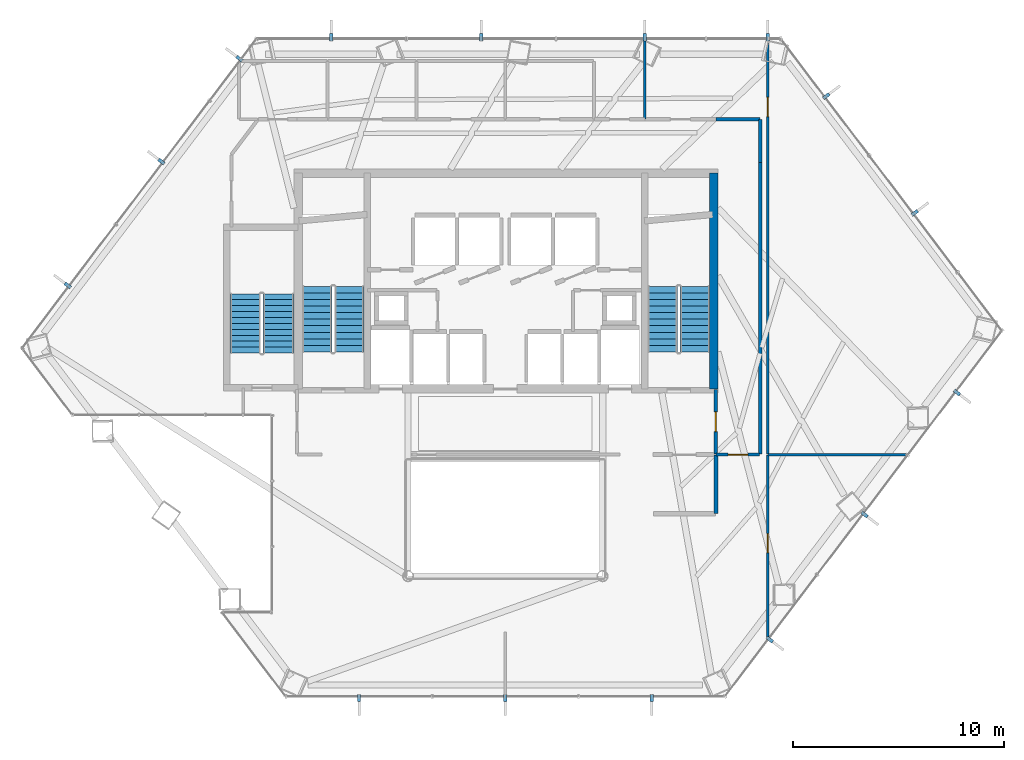
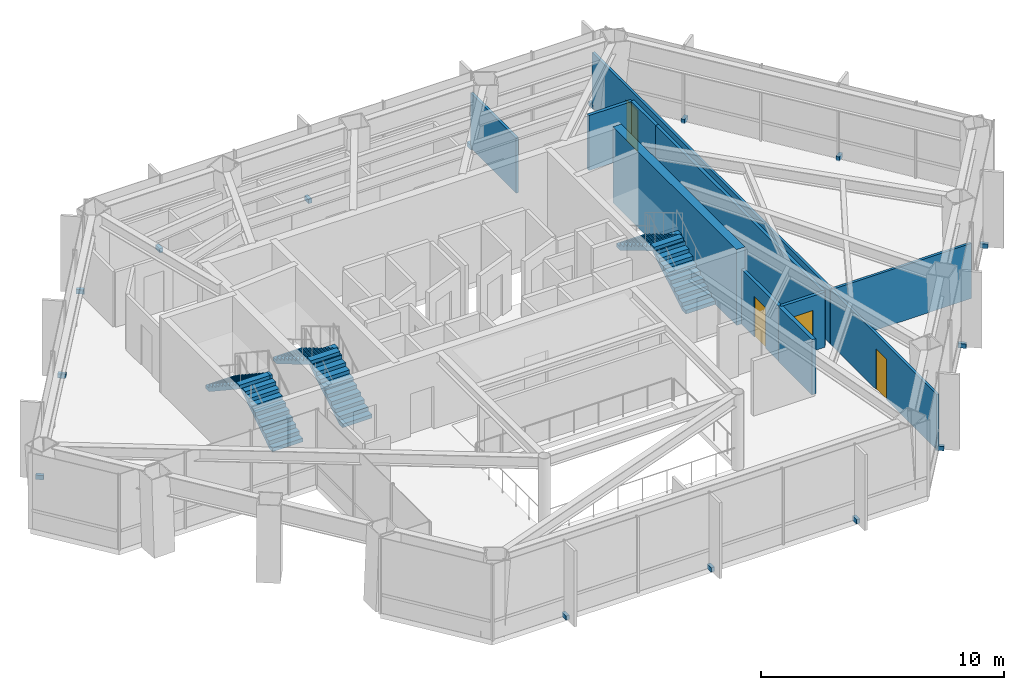
# One storey, part 23 of 24: 15 discrete accessories, 11 walls, 6 stair flights, 4 doors, 4 openings, 3 elements without a shape of their own.
"""IFC4 building model written with IfcOpenShell, lengths in metres."""

from ifc_helpers import new_model, si_unit, direction, frame, frame_2d, origin, origin_2d, place, context, subcontext, project, spatial, polyline, rectangle, outline, extrude, material, layer, layer_set, type_object, element, fill, aggregate, save


model = new_model("IFC4")

# Units and contexts
model_context = context("Model", 3, precision=1e-05, world=origin(), true_north=direction((0.0, 1.0)))
body_context = subcontext(model_context, "Body", "Model", "MODEL_VIEW")
ifc_project = project(units=[si_unit("LENGTHUNIT", "METRE"), si_unit("AREAUNIT", "SQUARE_METRE"), si_unit("VOLUMEUNIT", "CUBIC_METRE"), si_unit("PLANEANGLEUNIT", "RADIAN"), si_unit("MASSUNIT", "GRAM", prefix="KILO")], contexts=[model_context])

# Site, building, storey
site_placement = place(None, origin())
site = spatial("IfcSite", under=ifc_project, at=site_placement, CompositionType="ELEMENT")
building_placement = place(site_placement, origin())
building = spatial("IfcBuilding", under=site, at=building_placement, Name="Zarrinselat Tower", CompositionType="ELEMENT")
storey_placement = place(building_placement, frame((0.0, 0.0, 68.340087890625)))
storey = spatial("IfcBuildingStorey", under=building, at=storey_placement, Name="L16", CompositionType="ELEMENT", Elevation=68.340087890625)

# Wall
ifc_material_1 = material(Name="Concrete C40/50", Category="concrete")
ifc_layer_1 = layer(ifc_material_1, 0.18994140625)
ifc_layer_set_1 = layer_set([ifc_layer_1], Name="Concrete C40/50")
wall_type_1 = type_object("IfcWallType", Name="WAL-PART-EI120", PredefinedType="PARTITIONING", material=ifc_layer_set_1)
wall_1_placement = place(storey_placement, frame((48.35009765625, 27.3701171875, 0.0), z_axis=(0.0, 0.0, 1.0), x_axis=(0.0, 1.0, 0.0)))
element("IfcWall", 1, at=wall_1_placement, inside=storey, type_object=wall_type_1, Name="L16 Partition Wall 13", PredefinedType="PARTITIONING", context=body_context, shape_type="SweptSolid", body=[
    extrude(rectangle(XDim=2.759765625, YDim=0.18994140625, at=frame_2d((1.3798828125, 0.0))), origin(), (0.0, 0.0, 1.0), 2.77685546875),
])

# Wall, opening, door
ifc_material_2 = material(Name="Fire-Rated Gypsum Board Partition", Category="gypsum")
ifc_layer_2 = layer(ifc_material_2, 0.14990234375)
ifc_layer_set_2 = layer_set([ifc_layer_2], Name="Fire-Rated Gypsum Board Partition")
wall_type_2 = type_object("IfcWallType", Name="WAL-PART-EI60", PredefinedType="PARTITIONING", material=ifc_layer_set_2)
wall_2_placement = place(storey_placement, frame((48.35009765625, 30.169921875, 0.0), z_axis=(0.0, 0.0, 1.0), x_axis=(0.0, 1.0, 0.0)))
wall_2 = element("IfcWall", 2, at=wall_2_placement, inside=storey, type_object=wall_type_2, Name="L16 Partition Wall 8", PredefinedType="PARTITIONING", context=body_context, shape_type="SweptSolid", body=[
    extrude(rectangle(XDim=3.06005859375, YDim=0.14990234375, at=frame_2d((1.530029296875, 0.0))), origin(), (0.0, 0.0, 1.0), 2.77685546875),
])
opening_1_placement = place(wall_2_placement, frame((1.06005859375, 0.0, 0.0)))
opening_1 = element("IfcOpeningElement", 3, at=opening_1_placement, cuts=wall_2, Name="Opening ID-04", PredefinedType="OPENING", context=body_context, shape_type="SweptSolid", body=[
    extrude(rectangle(XDim=0.93994140625, YDim=2.050048828125, at=frame_2d((0.469970703125, 1.02490234375))), frame((0.0, 0.0849609375, 0.0), z_axis=(0.0, -1.0, 0.0), x_axis=(1.0, 0.0, 0.0)), (0.0, 0.0, 1.0), 0.169921875),
])
ifc_material_3 = material(Name="Fire-Rated Gypsum Board Partition")
door_type_1 = type_object("IfcDoorType", Name="DR-INT-FD30-ENT", OperationType="NOTDEFINED", PredefinedType="DOOR", material=ifc_material_3)
door_1_placement = place(opening_1_placement, origin())
door_1 = element("IfcDoor", 4, at=door_1_placement, inside=storey, type_object=door_type_1, Name="L16 Interior Door P8", OperationType="SINGLE_SWING_RIGHT", OverallHeight=2.050048828125, OverallWidth=0.93994140625, PredefinedType="DOOR", context=body_context, shape_type="SweptSolid", body=[
    extrude(rectangle(XDim=0.93994140625, YDim=2.050048828125, at=frame_2d((0.469970703125, 1.02490234375))), frame((0.0, 0.02490234375, 0.0), z_axis=(0.0, -1.0, 0.0), x_axis=(1.0, 0.0, 0.0)), (0.0, 0.0, 1.0), 0.050048828125),
])
fill(opening_1, door_1)

wall_3_placement = place(storey_placement, frame((48.3701171875, 30.14990234375, 0.0), z_axis=(0.0, 0.0, 1.0), x_axis=(1.0, 0.0, 0.0)))
wall_3 = element("IfcWall", 5, at=wall_3_placement, inside=storey, type_object=wall_type_2, Name="L16 Partition Wall 19", PredefinedType="PARTITIONING", context=body_context, shape_type="SweptSolid", body=[
    extrude(rectangle(XDim=2.059814453125, YDim=0.14990234375, at=frame_2d((1.02978515625, 0.0))), origin(), (0.0, 0.0, 1.0), 2.77685546875),
])
opening_2_placement = place(wall_3_placement, frame((0.56005859375, 0.0, 0.0)))
opening_2 = element("IfcOpeningElement", 6, at=opening_2_placement, cuts=wall_3, Name="Opening ID-04", PredefinedType="OPENING", context=body_context, shape_type="SweptSolid", body=[
    extrude(rectangle(XDim=0.93994140625, YDim=2.050048828125, at=frame_2d((0.469970703125, 1.02490234375))), frame((0.0, 0.0849609375, 0.0), z_axis=(0.0, -1.0, 0.0), x_axis=(1.0, 0.0, 0.0)), (0.0, 0.0, 1.0), 0.169921875),
])
door_2_placement = place(opening_2_placement, origin())
door_2 = element("IfcDoor", 7, at=door_2_placement, inside=storey, type_object=door_type_1, Name="L16 Interior Door P19", OperationType="SINGLE_SWING_LEFT", OverallHeight=2.050048828125, OverallWidth=0.93994140625, PredefinedType="DOOR", context=body_context, shape_type="SweptSolid", body=[
    extrude(rectangle(XDim=0.93994140625, YDim=2.050048828125, at=frame_2d((0.469970703125, 1.02490234375))), frame((0.0, 0.02490234375, 0.0), z_axis=(0.0, -1.0, 0.0), x_axis=(1.0, 0.0, 0.0)), (0.0, 0.0, 1.0), 0.050048828125),
])
fill(opening_2, door_2)

# Walls
wall_4_placement = place(storey_placement, frame((48.35009765625, 46.0, 0.0), z_axis=(0.0, 0.0, 1.0), x_axis=(1.0, 0.0, 0.0)))
element("IfcWall", 8, at=wall_4_placement, inside=storey, type_object=wall_type_2, Name="L16 Partition Wall 23", PredefinedType="PARTITIONING", context=body_context, shape_type="SweptSolid", body=[
    extrude(rectangle(XDim=2.079833984375, YDim=0.14990234375, at=frame_2d((1.0400390625, 0.0))), origin(), (0.0, 0.0, 1.0), 2.77685546875),
])
wall_5_placement = place(storey_placement, frame((50.449951171875, 43.949951171875, 0.0), z_axis=(0.0, 0.0, 1.0), x_axis=(0.0, 1.0, 0.0)))
element("IfcWall", 9, at=wall_5_placement, inside=storey, type_object=wall_type_2, Name="L16 Partition Wall 24", PredefinedType="PARTITIONING", context=body_context, shape_type="SweptSolid", body=[
    extrude(rectangle(XDim=2.030029296875, YDim=0.14990234375, at=frame_2d((1.01513671875, 0.0))), origin(), (0.0, 0.0, 1.0), 2.77685546875),
])
wall_6_placement = place(storey_placement, frame((50.449951171875, 30.169921875, 0.0), z_axis=(0.0, 0.0, 1.0), x_axis=(0.0, 1.0, 0.0)))
element("IfcWall", 10, at=wall_6_placement, inside=storey, type_object=wall_type_2, Name="L16 Partition Wall 25", PredefinedType="PARTITIONING", context=body_context, shape_type="SweptSolid", body=[
    extrude(rectangle(XDim=13.780029296875, YDim=0.14990234375, at=frame_2d((6.89013671875, 0.0))), origin(), (0.0, 0.0, 1.0), 2.77685546875),
])

# Wall, opening, door
ifc_material_4 = material(Name="Fire-Rated Gypsum Board Partition", Category="gypsum")
ifc_layer_3 = layer(ifc_material_4, 0.1201171875)
ifc_layer_set_3 = layer_set([ifc_layer_3], Name="Fire-Rated Gypsum Board Partition")
wall_type_3 = type_object("IfcWallType", Name="WAL-PART-STD", PredefinedType="PARTITIONING", material=ifc_layer_set_3)
wall_7_placement = place(storey_placement, frame((50.800048828125, 21.39404296875, 0.0), z_axis=(0.0, 0.0, 1.0), x_axis=(0.0, 1.0, 0.0)))
wall_7 = element("IfcWall", 11, at=wall_7_placement, inside=storey, type_object=wall_type_3, Name="L16 Partition Wall 38", PredefinedType="PARTITIONING", context=body_context, shape_type="SweptSolid", body=[
    extrude(rectangle(XDim=8.73583984375, YDim=0.1201171875, at=frame_2d((4.367919921875, 0.0))), origin(), (0.0, 0.0, 1.0), 2.77685546875),
])
opening_3_placement = place(wall_7_placement, frame((4.117919921875, 0.0, 0.0)))
opening_3 = element("IfcOpeningElement", 12, at=opening_3_placement, cuts=wall_7, Name="Opening ID-05", PredefinedType="OPENING", context=body_context, shape_type="SweptSolid", body=[
    extrude(rectangle(XDim=0.89990234375, YDim=2.050048828125, at=frame_2d((0.449951171875, 1.02490234375))), frame((0.0, 0.070068359375, 0.0), z_axis=(0.0, -1.0, 0.0), x_axis=(1.0, 0.0, 0.0)), (0.0, 0.0, 1.0), 0.14013671875),
])
ifc_material_5 = material(Name="Extruded Aluminium Alloy EN AW-6063 T6", Category="aluminium")
door_type_2 = type_object("IfcDoorType", Name="DR-INT-STD-920", OperationType="NOTDEFINED", PredefinedType="DOOR", material=ifc_material_5)
door_3_placement = place(opening_3_placement, origin())
door_3 = element("IfcDoor", 13, at=door_3_placement, inside=storey, type_object=door_type_2, Name="L16 Interior Door P38", OperationType="SINGLE_SWING_LEFT", OverallHeight=2.050048828125, OverallWidth=0.89990234375, PredefinedType="DOOR", context=body_context, shape_type="SweptSolid", body=[
    extrude(rectangle(XDim=0.89990234375, YDim=2.050048828125, at=frame_2d((0.449951171875, 1.02490234375))), frame((0.0, 0.02490234375, 0.0), z_axis=(0.0, -1.0, 0.0), x_axis=(1.0, 0.0, 0.0)), (0.0, 0.0, 1.0), 0.050048828125),
])
fill(opening_3, door_3)

# Wall
wall_8_placement = place(storey_placement, frame((50.820068359375, 30.14990234375, 0.0), z_axis=(0.0, 0.0, 1.0), x_axis=(1.0, 0.0, 0.0)))
element("IfcWall", 14, at=wall_8_placement, inside=storey, type_object=wall_type_3, Name="L16 Partition Wall 40", PredefinedType="PARTITIONING", context=body_context, shape_type="SweptSolid", body=[
    extrude(rectangle(XDim=6.609619140625, YDim=0.1201171875, at=frame_2d((3.3046875, 0.0))), origin(), (0.0, 0.0, 1.0), 2.77685546875),
])

# Wall, opening, door
wall_9_placement = place(storey_placement, frame((50.800048828125, 30.169921875, 0.0), z_axis=(0.0, 0.0, 1.0), x_axis=(0.0, 1.0, 0.0)))
wall_9 = element("IfcWall", 15, at=wall_9_placement, inside=storey, type_object=wall_type_3, Name="L16 Partition Wall 41", PredefinedType="PARTITIONING", context=body_context, shape_type="SweptSolid", body=[
    extrude(rectangle(XDim=19.626220703125, YDim=0.1201171875, at=frame_2d((9.81298828125, 0.0))), origin(), (0.0, 0.0, 1.0), 2.77685546875),
])
opening_4_placement = place(wall_9_placement, frame((15.963134765625, 0.0, 0.0)))
opening_4 = element("IfcOpeningElement", 16, at=opening_4_placement, cuts=wall_9, Name="Opening ID-05", PredefinedType="OPENING", context=body_context, shape_type="SweptSolid", body=[
    extrude(rectangle(XDim=0.89990234375, YDim=2.050048828125, at=frame_2d((0.449951171875, 1.02490234375))), frame((0.0, 0.070068359375, 0.0), z_axis=(0.0, -1.0, 0.0), x_axis=(1.0, 0.0, 0.0)), (0.0, 0.0, 1.0), 0.14013671875),
])
door_4_placement = place(opening_4_placement, origin())
door_4 = element("IfcDoor", 17, at=door_4_placement, inside=storey, type_object=door_type_2, Name="L16 Interior Door P41", OperationType="SINGLE_SWING_RIGHT", OverallHeight=2.050048828125, OverallWidth=0.89990234375, PredefinedType="DOOR", context=body_context, shape_type="SweptSolid", body=[
    extrude(rectangle(XDim=0.89990234375, YDim=2.050048828125, at=frame_2d((0.449951171875, 1.02490234375))), frame((0.0, 0.02490234375, 0.0), z_axis=(0.0, -1.0, 0.0), x_axis=(1.0, 0.0, 0.0)), (0.0, 0.0, 1.0), 0.050048828125),
])
fill(opening_4, door_4)

# Walls
wall_10_placement = place(storey_placement, frame((45.0, 46.02001953125, 0.0), z_axis=(0.0, 0.0, 1.0), x_axis=(0.0, 1.0, 0.0)))
element("IfcWall", 18, at=wall_10_placement, inside=storey, type_object=wall_type_3, Name="L16 Partition Wall 42", PredefinedType="PARTITIONING", context=body_context, shape_type="SweptSolid", body=[
    extrude(rectangle(XDim=3.776123046875, YDim=0.1201171875, at=frame_2d((1.88818359375, 0.0))), origin(), (0.0, 0.0, 1.0), 2.77685546875),
])
ifc_material_6 = material(Name="Concrete C60/75", Category="concrete")
ifc_layer_4 = layer(ifc_material_6, 0.39990234375)
ifc_layer_set_4 = layer_set([ifc_layer_4], Name="Concrete C60/75")
wall_type_4 = type_object("IfcWallType", Name="WAL-SHEAR-400", PredefinedType="SHEAR", material=ifc_layer_set_4)
wall_11_placement = place(storey_placement, frame((48.260009765625, 33.25, 0.0), z_axis=(0.0, 0.0, 1.0), x_axis=(0.0, 1.0, 0.0)))
element("IfcWall", 19, at=wall_11_placement, inside=storey, type_object=wall_type_4, Name="L16 Core Shear Wall E", PredefinedType="SHEAR", context=body_context, shape_type="SweptSolid", body=[
    extrude(rectangle(XDim=10.199951171875, YDim=0.39990234375, at=frame_2d((5.10009765625, 0.0))), origin(), (0.0, 0.0, 1.0), 3.81982421875),
])

# Stair, stair flights
ifc_material_7 = material(Name="Concrete C40/50", Category="concrete")
stair_type_1 = type_object("IfcStairType", Name="STR-CORE-145", PredefinedType="HALF_TURN_STAIR", material=ifc_material_7)
stair_1_placement = place(storey_placement, origin())
stair_1 = element("IfcStair", 20, at=stair_1_placement, inside=storey, type_object=stair_type_1, Name="L16 Podium & Mid-Tower Exit Stair 3", PredefinedType="HALF_TURN_STAIR")
ifc_material_8 = material(Name="Concrete C40/50", Category="concrete")
stair_flight_type_1 = type_object("IfcStairFlightType", Name="STR-FLT-145", PredefinedType="STRAIGHT", material=ifc_material_8)
stair_flight_1_placement = place(storey_placement, frame((27.675048828125, 34.949951171875, 0.0), z_axis=(0.0, 0.0, 1.0), x_axis=(0.0, 1.0, 0.0)))
stair_flight_1 = element("IfcStairFlight", 21, at=stair_flight_1_placement, type_object=stair_flight_type_1, Name="ST-3 flight 1", NumberOfRisers=11, NumberOfTreads=10, PredefinedType="STRAIGHT", RiserHeight=0.185454545, TreadLength=0.28, context=body_context, shape_type="SweptSolid", body=[
    extrude(outline(polyline([(0.0, 0.0), (0.0, 0.185546875), (0.280029296875, 0.185546875), (0.280029296875, 0.370849609375), (0.56005859375, 0.370849609375), (0.56005859375, 0.556396484375), (0.840087890625, 0.556396484375), (0.840087890625, 0.74169921875), (1.1201171875, 0.74169921875), (1.1201171875, 0.92724609375), (1.39990234375, 0.92724609375), (1.39990234375, 1.11279296875), (1.679931640625, 1.11279296875), (1.679931640625, 1.298095703125), (1.9599609375, 1.298095703125), (1.9599609375, 1.483642578125), (2.239990234375, 1.483642578125), (2.239990234375, 1.669189453125), (2.52001953125, 1.669189453125), (2.52001953125, 1.8544921875), (2.800048828125, 1.8544921875), (2.800048828125, 2.0400390625), (2.800048828125, 1.6748046875), (0.271484375, 0.0), (0.0, 0.0)])), frame((0.0, 0.72509765625, 0.0), z_axis=(0.0, -1.0, 0.0), x_axis=(1.0, 0.0, 0.0)), (0.0, 0.0, 1.0), 1.449951171875),
])
stair_flight_2_placement = place(storey_placement, frame((26.10498046875, 37.75, 2.039794921875), z_axis=(0.0, 0.0, 1.0), x_axis=(0.0, -1.0, 0.0)))
stair_flight_2 = element("IfcStairFlight", 22, at=stair_flight_2_placement, type_object=stair_flight_type_1, Name="ST-3 flight 2", NumberOfRisers=11, NumberOfTreads=10, PredefinedType="STRAIGHT", RiserHeight=0.185454545, TreadLength=0.28, context=body_context, shape_type="SweptSolid", body=[
    extrude(outline(polyline([(0.0, 0.0), (0.0, 0.185546875), (0.280029296875, 0.185546875), (0.280029296875, 0.370849609375), (0.56005859375, 0.370849609375), (0.56005859375, 0.556396484375), (0.840087890625, 0.556396484375), (0.840087890625, 0.74169921875), (1.1201171875, 0.74169921875), (1.1201171875, 0.92724609375), (1.39990234375, 0.92724609375), (1.39990234375, 1.11279296875), (1.679931640625, 1.11279296875), (1.679931640625, 1.298095703125), (1.9599609375, 1.298095703125), (1.9599609375, 1.483642578125), (2.239990234375, 1.483642578125), (2.239990234375, 1.669189453125), (2.52001953125, 1.669189453125), (2.52001953125, 1.8544921875), (2.800048828125, 1.8544921875), (2.800048828125, 2.0400390625), (2.800048828125, 1.6748046875), (0.271484375, 0.0), (0.0, 0.0)])), frame((0.0, 0.72509765625, 0.0), z_axis=(0.0, -1.0, 0.0), x_axis=(1.0, 0.0, 0.0)), (0.0, 0.0, 1.0), 1.449951171875),
])
aggregate(stair_1, [stair_flight_1, stair_flight_2])

ifc_material_9 = material(Name="Concrete C40/50", Category="concrete")
stair_type_2 = type_object("IfcStairType", Name="STR-CORE-155", PredefinedType="HALF_TURN_STAIR", material=ifc_material_9)
stair_2_placement = place(storey_placement, origin())
stair_2 = element("IfcStair", 23, at=stair_2_placement, inside=storey, type_object=stair_type_2, Name="L16 Core Exit Stair 1", PredefinedType="HALF_TURN_STAIR")
ifc_material_10 = material(Name="Concrete C40/50", Category="concrete")
stair_flight_type_2 = type_object("IfcStairFlightType", Name="STR-FLT-155", PredefinedType="STRAIGHT", material=ifc_material_10)
stair_flight_3_placement = place(storey_placement, frame((31.02001953125, 35.0, 0.0), z_axis=(0.0, 0.0, 1.0), x_axis=(0.0, 1.0, 0.0)))
stair_flight_3 = element("IfcStairFlight", 24, at=stair_flight_3_placement, type_object=stair_flight_type_2, Name="ST-1 flight 1", NumberOfRisers=11, NumberOfTreads=10, PredefinedType="STRAIGHT", RiserHeight=0.185454545, TreadLength=0.31, context=body_context, shape_type="SweptSolid", body=[
    extrude(outline(polyline([(0.0, 0.0), (0.0, 0.185546875), (0.31005859375, 0.185546875), (0.31005859375, 0.370849609375), (0.6201171875, 0.370849609375), (0.6201171875, 0.556396484375), (0.929931640625, 0.556396484375), (0.929931640625, 0.74169921875), (1.239990234375, 0.74169921875), (1.239990234375, 0.92724609375), (1.550048828125, 0.92724609375), (1.550048828125, 1.11279296875), (1.860107421875, 1.11279296875), (1.860107421875, 1.298095703125), (2.169921875, 1.298095703125), (2.169921875, 1.483642578125), (2.47998046875, 1.483642578125), (2.47998046875, 1.669189453125), (2.7900390625, 1.669189453125), (2.7900390625, 1.8544921875), (3.10009765625, 1.8544921875), (3.10009765625, 2.0400390625), (3.10009765625, 1.679931640625), (0.2919921875, 0.0), (0.0, 0.0)])), frame((0.0, 0.699951171875, 0.0), z_axis=(0.0, -1.0, 0.0), x_axis=(1.0, 0.0, 0.0)), (0.0, 0.0, 1.0), 1.39990234375),
])
stair_flight_4_placement = place(storey_placement, frame((29.5, 38.10009765625, 2.039794921875), z_axis=(0.0, 0.0, 1.0), x_axis=(0.0, -1.0, 0.0)))
stair_flight_4 = element("IfcStairFlight", 25, at=stair_flight_4_placement, type_object=stair_flight_type_2, Name="ST-1 flight 2", NumberOfRisers=11, NumberOfTreads=10, PredefinedType="STRAIGHT", RiserHeight=0.185454545, TreadLength=0.31, context=body_context, shape_type="SweptSolid", body=[
    extrude(outline(polyline([(0.0, 0.0), (0.0, 0.185546875), (0.31005859375, 0.185546875), (0.31005859375, 0.370849609375), (0.6201171875, 0.370849609375), (0.6201171875, 0.556396484375), (0.929931640625, 0.556396484375), (0.929931640625, 0.74169921875), (1.239990234375, 0.74169921875), (1.239990234375, 0.92724609375), (1.550048828125, 0.92724609375), (1.550048828125, 1.11279296875), (1.860107421875, 1.11279296875), (1.860107421875, 1.298095703125), (2.169921875, 1.298095703125), (2.169921875, 1.483642578125), (2.47998046875, 1.483642578125), (2.47998046875, 1.669189453125), (2.7900390625, 1.669189453125), (2.7900390625, 1.8544921875), (3.10009765625, 1.8544921875), (3.10009765625, 2.0400390625), (3.10009765625, 1.679931640625), (0.2919921875, 0.0), (0.0, 0.0)])), frame((0.0, 0.699951171875, 0.0), z_axis=(0.0, -1.0, 0.0), x_axis=(1.0, 0.0, 0.0)), (0.0, 0.0, 1.0), 1.39990234375),
])
aggregate(stair_2, [stair_flight_3, stair_flight_4])

stair_3_placement = place(storey_placement, origin())
stair_3 = element("IfcStair", 26, at=stair_3_placement, inside=storey, type_object=stair_type_2, Name="L16 Core Exit Stair 2", PredefinedType="HALF_TURN_STAIR")
stair_flight_5_placement = place(storey_placement, frame((47.360107421875, 35.0, 0.0), z_axis=(0.0, 0.0, 1.0), x_axis=(0.0, 1.0, 0.0)))
stair_flight_5 = element("IfcStairFlight", 27, at=stair_flight_5_placement, type_object=stair_flight_type_2, Name="ST-2 flight 1", NumberOfRisers=11, NumberOfTreads=10, PredefinedType="STRAIGHT", RiserHeight=0.185454545, TreadLength=0.31, context=body_context, shape_type="SweptSolid", body=[
    extrude(outline(polyline([(0.0, 0.0), (0.0, 0.185546875), (0.31005859375, 0.185546875), (0.31005859375, 0.370849609375), (0.6201171875, 0.370849609375), (0.6201171875, 0.556396484375), (0.929931640625, 0.556396484375), (0.929931640625, 0.74169921875), (1.239990234375, 0.74169921875), (1.239990234375, 0.92724609375), (1.550048828125, 0.92724609375), (1.550048828125, 1.11279296875), (1.860107421875, 1.11279296875), (1.860107421875, 1.298095703125), (2.169921875, 1.298095703125), (2.169921875, 1.483642578125), (2.47998046875, 1.483642578125), (2.47998046875, 1.669189453125), (2.7900390625, 1.669189453125), (2.7900390625, 1.8544921875), (3.10009765625, 1.8544921875), (3.10009765625, 2.0400390625), (3.10009765625, 1.679931640625), (0.2919921875, 0.0), (0.0, 0.0)])), frame((0.0, 0.699951171875, 0.0), z_axis=(0.0, -1.0, 0.0), x_axis=(1.0, 0.0, 0.0)), (0.0, 0.0, 1.0), 1.39990234375),
])
stair_flight_6_placement = place(storey_placement, frame((45.840087890625, 38.10009765625, 2.039794921875), z_axis=(0.0, 0.0, 1.0), x_axis=(0.0, -1.0, 0.0)))
stair_flight_6 = element("IfcStairFlight", 28, at=stair_flight_6_placement, type_object=stair_flight_type_2, Name="ST-2 flight 2", NumberOfRisers=11, NumberOfTreads=10, PredefinedType="STRAIGHT", RiserHeight=0.185454545, TreadLength=0.31, context=body_context, shape_type="SweptSolid", body=[
    extrude(outline(polyline([(0.0, 0.0), (0.0, 0.185546875), (0.31005859375, 0.185546875), (0.31005859375, 0.370849609375), (0.6201171875, 0.370849609375), (0.6201171875, 0.556396484375), (0.929931640625, 0.556396484375), (0.929931640625, 0.74169921875), (1.239990234375, 0.74169921875), (1.239990234375, 0.92724609375), (1.550048828125, 0.92724609375), (1.550048828125, 1.11279296875), (1.860107421875, 1.11279296875), (1.860107421875, 1.298095703125), (2.169921875, 1.298095703125), (2.169921875, 1.483642578125), (2.47998046875, 1.483642578125), (2.47998046875, 1.669189453125), (2.7900390625, 1.669189453125), (2.7900390625, 1.8544921875), (3.10009765625, 1.8544921875), (3.10009765625, 2.0400390625), (3.10009765625, 1.679931640625), (0.2919921875, 0.0), (0.0, 0.0)])), frame((0.0, 0.699951171875, 0.0), z_axis=(0.0, -1.0, 0.0), x_axis=(1.0, 0.0, 0.0)), (0.0, 0.0, 1.0), 1.39990234375),
])
aggregate(stair_3, [stair_flight_5, stair_flight_6])

# Discrete accessories
ifc_material_11 = material(Name="Steel S355J2", Category="steel")
discrete_accessory_type = type_object("IfcDiscreteAccessoryType", Name="ACC-FIN-BRACKET", PredefinedType="BRACKET", material=ifc_material_11)
for number, where, z_axis, x_axis, name in (
    (29, (17.71044921875, 38.144287109375, -0.05029296875), (0.0, 0.0, 1.0), (-0.797092942501, 0.603856639456, 0.0), "L16 Fin Fixing Bracket CW-L16-E01-01"),
    (30, (22.1455078125, 43.998779296875, -0.05029296875), (0.0, 0.0, 1.0), (-0.797092942501, 0.603856639456, 0.0), "L16 Fin Fixing Bracket CW-L16-E01-03"),
    (31, (25.83251953125, 48.865478515625, -0.05029296875), (0.0, 0.0, 1.0), (-0.797092942501, 0.603856639456, 0.0), "L16 Fin Fixing Bracket CW-L16-E01-05"),
    (32, (30.177978515625, 49.881103515625, -0.05029296875), (0.0, 0.0, 1.0), (0.0, 1.0, 0.0), "L16 Fin Fixing Bracket CW-L16-E02-01"),
    (33, (37.260498046875, 49.881103515625, -0.05029296875), (0.0, 0.0, 1.0), (0.0, 1.0, 0.0), "L16 Fin Fixing Bracket CW-L16-E02-03"),
    (34, (45.0, 49.881103515625, -0.05029296875), (0.0, 0.0, 1.0), (0.0, 1.0, 0.0), "L16 Fin Fixing Bracket CW-L16-E02-05"),
    (35, (50.800048828125, 49.881103515625, -0.05029296875), (0.0, 0.0, 1.0), (0.0, 1.0, 0.0), "L16 Fin Fixing Bracket CW-L16-E02-07"),
    (36, (53.572998046875, 47.0927734375, -0.05029296875), (0.0, 0.0, 1.0), (0.797090547779, 0.603859800485, 0.0), "L16 Fin Fixing Bracket CW-L16-E03-01"),
    (37, (57.755859375, 41.57177734375, -0.05029296875), (0.0, 0.0, 1.0), (0.797090547779, 0.603859800485, 0.0), "L16 Fin Fixing Bracket CW-L16-E03-03"),
    (38, (59.75390625, 33.082275390625, -0.05029296875), (0.0, 0.0, 1.0), (0.797091005808, -0.603859195889, 0.0), "L16 Fin Fixing Bracket CW-L16-E04-01"),
    (39, (55.384765625, 27.315185546875, -0.05029296875), (0.0, 0.0, 1.0), (0.797091005808, -0.603859195889, 0.0), "L16 Fin Fixing Bracket CW-L16-E04-03"),
    (40, (50.903564453125, 21.39990234375, -0.05029296875), (0.0, 0.0, 1.0), (0.797091005808, -0.603859195889, 0.0), "L16 Fin Fixing Bracket CW-L16-E04-05"),
    (41, (45.31689453125, 18.636474609375, -0.05029296875), (0.0, 0.0, 1.0), (0.0, -1.0, 0.0), "L16 Fin Fixing Bracket CW-L16-E05-01"),
    (42, (38.39990234375, 18.636474609375, -0.05029296875), (0.0, 0.0, 1.0), (0.0, -1.0, 0.0), "L16 Fin Fixing Bracket CW-L16-E05-03"),
    (43, (31.483154296875, 18.636474609375, -0.05029296875), (0.0, 0.0, 1.0), (0.0, -1.0, 0.0), "L16 Fin Fixing Bracket CW-L16-E05-05"),
):
    element("IfcDiscreteAccessory", number, at=place(storey_placement, frame(where, z_axis=z_axis, x_axis=x_axis)), inside=storey, type_object=discrete_accessory_type, Name=name, PredefinedType="BRACKET", context=body_context, shape_type="SweptSolid", body=[
        extrude(rectangle(XDim=0.340087890625, YDim=0.159912109375, at=origin_2d()), origin(), (0.0, 0.0, 1.0), 0.219970703125),
    ])

save(model, "model.ifc")
